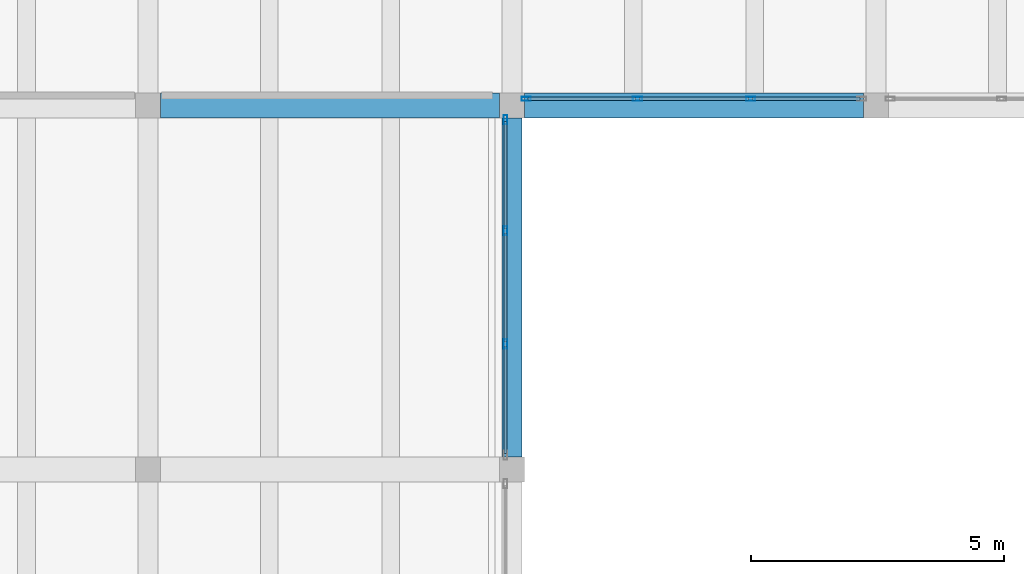
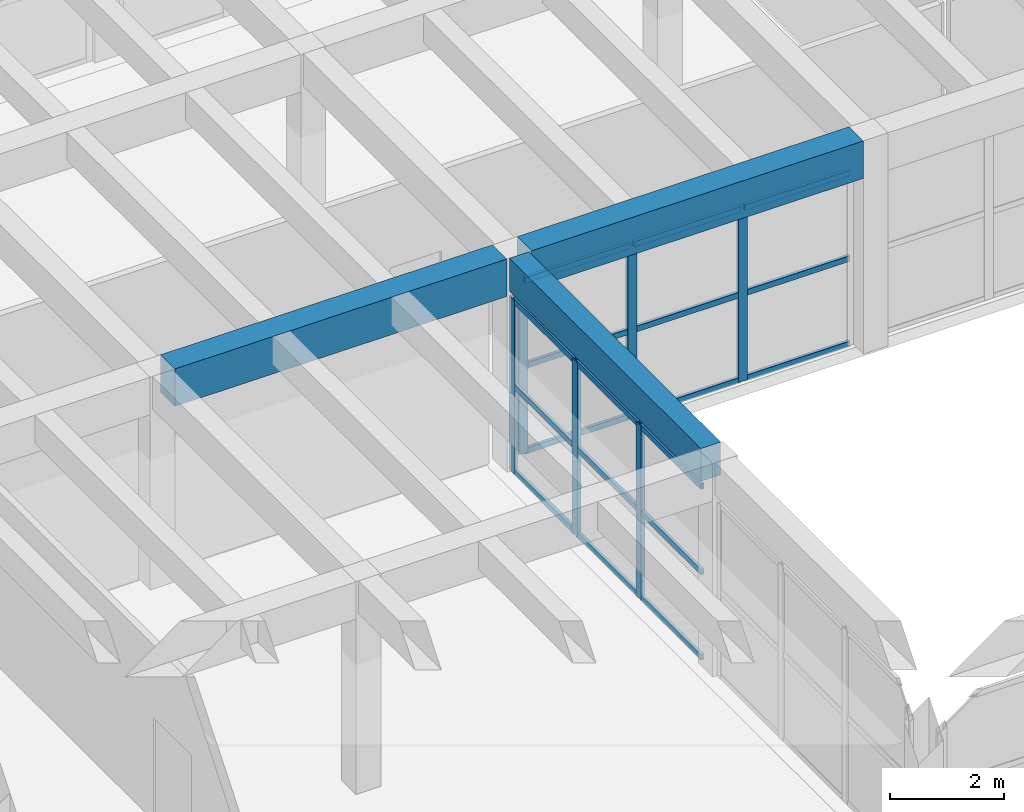
# One storey, part 29 of 153: 24 members, 3 beams, 2 elements without a shape of their own.
"""IFC4 building model written with IfcOpenShell, lengths in metres."""

import ifcopenshell
import ifcopenshell.guid

model = None  # the IFC model being written
_history = None  # IfcOwnerHistory: only IFC2X3 demands one
_inside = {}  # id of a spatial element -> (the spatial element, [elements in it])
_under = {}  # id of a project, library or spatial element -> (it, [spatial elements below it])
_declared = {}  # id of a project -> (the project, [libraries it declares])
_typed = {}  # id of a type object -> (the type object, [elements of that type])
_made_of = {}  # id of a material, layer set ... -> (it, [elements and type objects made of it])


def new_model(schema):
    """Start an empty IFC model of exactly this schema.

    Asked for "IFC4X3", IfcOpenShell would pick the latest addendum, in which some entities
    have other attributes; the version numbers below select the first issue.
    IFC2X3 requires an IfcOwnerHistory on every rooted entity: one is made here for all.
    """
    global model, _history
    if schema == "IFC4X3":
        model = ifcopenshell.file(schema_version=(4, 3, 0, 0))
    else:
        model = ifcopenshell.file(schema=schema)
    _inside.clear()
    _under.clear()
    _declared.clear()
    _typed.clear()
    _made_of.clear()
    _history = None
    if model.schema == "IFC2X3":
        org = make("IfcOrganization", Name="unknown")
        user = make(
            "IfcPersonAndOrganization",
            ThePerson=make("IfcPerson", FamilyName="unknown"),
            TheOrganization=org,
        )
        app = make(
            "IfcApplication",
            ApplicationDeveloper=org,
            Version="unknown",
            ApplicationFullName="unknown",
            ApplicationIdentifier="unknown",
        )
        _history = make(
            "IfcOwnerHistory",
            OwningUser=user,
            OwningApplication=app,
            ChangeAction="ADDED",
            CreationDate=0,
        )
    return model


def make(cls, **values):
    """One entity of the class cls with the attributes given. An attribute that is None is left unset."""
    return model.create_entity(
        cls, **{name: value for name, value in values.items() if value is not None}
    )


def rooted(cls, **values):
    """An entity with a GlobalId (a new one), such as an element, a storey or a relation."""
    return make(cls, GlobalId=ifcopenshell.guid.new(), OwnerHistory=_history, **values)


def si_unit(unit_type, name, prefix=None):
    """IfcSIUnit, for example si_unit("LENGTHUNIT", "METRE", prefix="MILLI")."""
    return make("IfcSIUnit", UnitType=unit_type, Prefix=prefix, Name=name)


def assignment(units):
    """IfcUnitAssignment: the units of a project."""
    return None if units is None else make("IfcUnitAssignment", Units=units)


def point(xyz):
    """IfcCartesianPoint."""
    return None if xyz is None else make("IfcCartesianPoint", Coordinates=xyz)


def direction(xyz):
    """IfcDirection."""
    return None if xyz is None else make("IfcDirection", DirectionRatios=xyz)


def frame(location, z_axis=None, x_axis=None):
    """IfcAxis2Placement3D, a coordinate frame: its origin and axes. An axis left out is left unset."""
    return make(
        "IfcAxis2Placement3D",
        Location=point(location),
        Axis=direction(z_axis),
        RefDirection=direction(x_axis),
    )


def frame_2d(location, x_axis=None):
    """IfcAxis2Placement2D, a coordinate frame in the plane: its origin and x axis."""
    return make(
        "IfcAxis2Placement2D", Location=point(location), RefDirection=direction(x_axis)
    )


def origin():
    """The frame at (0, 0, 0) with its axes left unset."""
    return frame((0.0, 0.0, 0.0))


def origin_2d():
    """The frame at (0, 0) in the plane with its x axis left unset."""
    return frame_2d((0.0, 0.0))


def place(relative_to, where):
    """IfcLocalPlacement: puts the frame where relative to a parent placement (None: the world)."""
    return make(
        "IfcLocalPlacement", PlacementRelTo=relative_to, RelativePlacement=where
    )


def context(
    kind, dimensions, precision=None, world=None, true_north=None, identifier=None
):
    """IfcGeometricRepresentationContext, for example the 3D "Model" context."""
    return make(
        "IfcGeometricRepresentationContext",
        ContextIdentifier=identifier,
        ContextType=kind,
        CoordinateSpaceDimension=dimensions,
        Precision=precision,
        WorldCoordinateSystem=world,
        TrueNorth=true_north,
    )


def subcontext(parent, identifier, kind, view, scale=None):
    """IfcGeometricRepresentationSubContext, for example "Body" below "Model"."""
    return make(
        "IfcGeometricRepresentationSubContext",
        ContextIdentifier=identifier,
        ContextType=kind,
        ParentContext=parent,
        TargetScale=scale,
        TargetView=view,
    )


def project(units=None, contexts=None):
    """IfcProject with its units and contexts."""
    return rooted(
        "IfcProject",
        Name="project",
        RepresentationContexts=contexts,
        UnitsInContext=assignment(units),
    )


def spatial(cls, under=None, at=None, **own):
    """A site, building, storey or space (cls), placed at a placement, below another one or the project."""
    s = rooted(cls, ObjectPlacement=at, **own)
    if under is not None:
        _under.setdefault(under.id(), (under, []))[1].append(s)
    return s


def profile(cls, at=None, kind="AREA", **sizes):
    """A parametric profile (cls). Its sizes go by their IFC names, for example OverallWidth=200.0."""
    return make(cls, ProfileType=kind, Position=at, **sizes)


def rectangle(**sizes):
    """IfcRectangleProfileDef."""
    return profile("IfcRectangleProfileDef", **sizes)


def hollow_rectangle(**sizes):
    """IfcRectangleHollowProfileDef."""
    return profile("IfcRectangleHollowProfileDef", **sizes)


def extrude(swept, where, along, depth):
    """IfcExtrudedAreaSolid: the profile swept, set in the frame where, extruded along a direction by depth."""
    return make(
        "IfcExtrudedAreaSolid",
        SweptArea=swept,
        Position=where,
        ExtrudedDirection=direction(along),
        Depth=depth,
    )


def shape(context_of_items, identifier, shape_type, items):
    """IfcShapeRepresentation: the items that make up one representation, for example the "Body"."""
    return make(
        "IfcShapeRepresentation",
        ContextOfItems=context_of_items,
        RepresentationIdentifier=identifier,
        RepresentationType=shape_type,
        Items=items,
    )


def material(Name=None, Category=None):
    """IfcMaterial."""
    return make("IfcMaterial", Name=Name, Category=Category)


def material_profile(
    of_material, cross_section, Name=None, Category=None, Priority=None
):
    """IfcMaterialProfile: a cross section and its material."""
    return make(
        "IfcMaterialProfile",
        Name=Name,
        Material=of_material,
        Profile=cross_section,
        Priority=Priority,
        Category=Category,
    )


def profile_set(profiles, Name=None, composite=None):
    """IfcMaterialProfileSet."""
    return make(
        "IfcMaterialProfileSet",
        Name=Name,
        MaterialProfiles=profiles,
        CompositeProfile=composite,
    )


def made_of(thing, what):
    """Note that an element or type object is made of a material, layer set ...; save() writes the relation."""
    if what is not None:
        _made_of.setdefault(what.id(), (what, []))[1].append(thing)
    return thing


def type_object(cls, material=None, **own):
    """A type object (cls), such as IfcWallType, which elements share."""
    return made_of(rooted(cls, **own), material)


def element(
    cls,
    number,
    at=None,
    inside=None,
    cuts=None,
    type_object=None,
    material=None,
    context=None,
    identifier="Body",
    shape_type=None,
    held_by="IfcProductDefinitionShape",
    body=None,
    shapes=None,
    **own,
):
    """One element of the class cls, such as IfcWall. Its Tag is "e" and its number.

    at: its placement. inside: the storey or other place that contains it. cuts: it is an
    opening in that element (IfcRelVoidsElement). A single representation is given by context,
    identifier, shape_type and body (its items); several are given by shapes. held_by: the class
    of the entity that holds the representations. save() writes the other relations.
    """
    e = rooted(cls, Tag="e%d" % number, ObjectPlacement=at, **own)
    if body is not None:
        shapes = [shape(context, identifier, shape_type, body)]
    if shapes is not None:
        e.Representation = make(held_by, Representations=shapes)
    if inside is not None:
        _inside.setdefault(inside.id(), (inside, []))[1].append(e)
    if cuts is not None:
        rooted(
            "IfcRelVoidsElement", RelatingBuildingElement=cuts, RelatedOpeningElement=e
        )
    if type_object is not None:
        _typed.setdefault(type_object.id(), (type_object, []))[1].append(e)
    return made_of(e, material)


def aggregate(whole, parts):
    """IfcRelAggregates: a whole, such as a stair, and the parts it consists of."""
    return rooted("IfcRelAggregates", RelatingObject=whole, RelatedObjects=parts)


def save(model, path):
    """Write the relations noted so far, then the file.

    IfcRelAggregates (storeys below a building ...), IfcRelContainedInSpatialStructure (elements
    in a storey), IfcRelDefinesByType, IfcRelAssociatesMaterial and IfcRelDeclares: one each for
    every whole, place, type object, material and project.
    """
    for whole, parts in _under.values():
        aggregate(whole, parts)
    for where, things in _inside.values():
        rooted(
            "IfcRelContainedInSpatialStructure",
            RelatedElements=things,
            RelatingStructure=where,
        )
    for kind, things in _typed.values():
        rooted("IfcRelDefinesByType", RelatedObjects=things, RelatingType=kind)
    for what, things in _made_of.values():
        rooted("IfcRelAssociatesMaterial", RelatedObjects=things, RelatingMaterial=what)
    for by, libraries in _declared.values():
        rooted("IfcRelDeclares", RelatingContext=by, RelatedDefinitions=libraries)
    model.write(path)


model = new_model("IFC4")

# Units and contexts
model_context = context("Model", 3, precision=1e-05, world=origin(), true_north=direction((0.0, 1.0)))
body_context = subcontext(model_context, "Body", "Model", "MODEL_VIEW")
ifc_project = project(units=[si_unit("LENGTHUNIT", "METRE"), si_unit("AREAUNIT", "SQUARE_METRE"), si_unit("VOLUMEUNIT", "CUBIC_METRE"), si_unit("PLANEANGLEUNIT", "RADIAN"), si_unit("MASSUNIT", "GRAM", prefix="KILO")], contexts=[model_context])

# Site, building, storey
site_placement = place(None, origin())
site = spatial("IfcSite", under=ifc_project, at=site_placement, CompositionType="ELEMENT")
building_placement = place(site_placement, origin())
building = spatial("IfcBuilding", under=site, at=building_placement, Name="Bramvelor Terrace Health Centre", CompositionType="ELEMENT")
storey_placement = place(building_placement, frame((0.0, 0.0, 4.800048828125)))
storey = spatial("IfcBuildingStorey", under=building, at=storey_placement, Name="L02", CompositionType="ELEMENT", Elevation=4.800048828125)

# Beams
ifc_material_1 = material(Name="Concrete C40/50", Category="concrete")
ifc_material_profile_1 = material_profile(ifc_material_1, rectangle(XDim=0.39990234375, YDim=0.699951171875, at=origin_2d()), Name="RC 400x700")
ifc_profile_set_1 = profile_set([ifc_material_profile_1], Name="Concrete C40/50")
beam_type_1 = type_object("IfcBeamType", Name="BM-RC-G700", PredefinedType="BEAM", material=ifc_profile_set_1)
beam_1_placement = place(storey_placement, frame((57.60009765625, 57.85009765625, 4.199951171875), z_axis=(0.0, 1.0, 0.0), x_axis=(-1.0, 0.0, 0.0)))
element("IfcBeam", 1, at=beam_1_placement, inside=storey, type_object=beam_type_1, Name="L02 Floor Girder", PredefinedType="BEAM", context=body_context, shape_type="SweptSolid", body=[
    extrude(rectangle(XDim=0.39990234375, YDim=0.699951171875, at=origin_2d()), origin(), (0.0, 0.0, 1.0), 6.699951171875),
])
ifc_material_2 = material(Name="Concrete C40/50", Category="concrete")
ifc_material_profile_2 = material_profile(ifc_material_2, rectangle(XDim=0.5, YDim=0.800048828125, at=origin_2d()), Name="RC 500x800")
ifc_profile_set_2 = profile_set([ifc_material_profile_2], Name="Concrete C40/50")
beam_type_2 = type_object("IfcBeamType", Name="BM-RC-G800", PredefinedType="BEAM", material=ifc_profile_set_2)
beam_2_placement = place(storey_placement, frame((50.64990234375, 64.800048828125, 4.14990234375), z_axis=(1.0, 0.0, 0.0), x_axis=(0.0, 1.0, 0.0)))
element("IfcBeam", 2, at=beam_2_placement, inside=storey, type_object=beam_type_2, Name="L02 Floor Girder", PredefinedType="BEAM", context=body_context, shape_type="SweptSolid", body=[
    extrude(rectangle(XDim=0.5, YDim=0.800048828125, at=origin_2d()), origin(), (0.0, 0.0, 1.0), 6.7001953125),
])
beam_3_placement = place(storey_placement, frame((57.85009765625, 64.800048828125, 4.14990234375), z_axis=(1.0, 0.0, 0.0), x_axis=(0.0, 1.0, 0.0)))
element("IfcBeam", 3, at=beam_3_placement, inside=storey, type_object=beam_type_2, Name="L02 Floor Girder", PredefinedType="BEAM", context=body_context, shape_type="SweptSolid", body=[
    extrude(rectangle(XDim=0.5, YDim=0.800048828125, at=origin_2d()), origin(), (0.0, 0.0, 1.0), 6.699951171875),
])

# Curtain wall, members
ifc_material_3 = material(Name="Anodized aluminium and double low-E glass", Category="aluminium")
curtain_wall_type = type_object("IfcCurtainWallType", Name="CW-SYS-17", PredefinedType="NOTDEFINED", material=ifc_material_3)
curtain_wall_1_placement = place(storey_placement, origin())
curtain_wall_1 = element("IfcCurtainWall", 4, at=curtain_wall_1_placement, inside=storey, type_object=curtain_wall_type, Name="L02 Unitized Curtain Wall 133", PredefinedType="NOTDEFINED")
ifc_material_4 = material(Name="Anodized aluminium 6063-T6", Category="aluminium")
ifc_material_profile_3 = material_profile(ifc_material_4, hollow_rectangle(XDim=0.074951171875, YDim=0.179931640625, WallThickness=0.00341796875, at=origin_2d()), Name="ALU-MUL 75x180x3.5")
ifc_profile_set_3 = profile_set([ifc_material_profile_3], Name="Anodized aluminium 6063-T6")
member_type_1 = type_object("IfcMemberType", Name="CW-MUL-65x180", PredefinedType="MULLION", material=ifc_profile_set_3)
member_1_placement = place(storey_placement, frame((57.469970703125, 64.517578125, 0.0), z_axis=(0.0, 0.0, 1.0), x_axis=(1.0, 0.0, 0.0)))
member_1 = element("IfcMember", 5, at=member_1_placement, type_object=member_type_1, Name="CW-17 mullion 1", PredefinedType="MULLION", context=body_context, shape_type="SweptSolid", body=[
    extrude(hollow_rectangle(XDim=0.074951171875, YDim=0.179931640625, WallThickness=0.00341796875, at=origin_2d()), origin(), (0.0, 0.0, 1.0), 3.7099609375),
])
member_2_placement = place(storey_placement, frame((57.469970703125, 62.318359375, 0.0), z_axis=(0.0, 0.0, 1.0), x_axis=(1.0, 0.0, 0.0)))
member_2 = element("IfcMember", 6, at=member_2_placement, type_object=member_type_1, Name="CW-17 mullion 2", PredefinedType="MULLION", context=body_context, shape_type="SweptSolid", body=[
    extrude(hollow_rectangle(XDim=0.074951171875, YDim=0.179931640625, WallThickness=0.00341796875, at=origin_2d()), origin(), (0.0, 0.0, 1.0), 3.7099609375),
])
member_3_placement = place(storey_placement, frame((57.469970703125, 60.081787109375, 0.0), z_axis=(0.0, 0.0, 1.0), x_axis=(1.0, 0.0, 0.0)))
member_3 = element("IfcMember", 7, at=member_3_placement, type_object=member_type_1, Name="CW-17 mullion 3", PredefinedType="MULLION", context=body_context, shape_type="SweptSolid", body=[
    extrude(hollow_rectangle(XDim=0.074951171875, YDim=0.179931640625, WallThickness=0.00341796875, at=origin_2d()), origin(), (0.0, 0.0, 1.0), 3.7099609375),
])

curtain_wall_2_placement = place(storey_placement, origin())
curtain_wall_2 = element("IfcCurtainWall", 8, at=curtain_wall_2_placement, inside=storey, type_object=curtain_wall_type, Name="L02 Unitized Curtain Wall 142", PredefinedType="NOTDEFINED")
member_4_placement = place(storey_placement, frame((62.318359375, 64.929931640625, 0.0), z_axis=(0.0, 0.0, 1.0), x_axis=(0.0, -1.0, 0.0)))
member_4 = element("IfcMember", 9, at=member_4_placement, type_object=member_type_1, Name="CW-17 mullion 2", PredefinedType="MULLION", context=body_context, shape_type="SweptSolid", body=[
    extrude(hollow_rectangle(XDim=0.074951171875, YDim=0.179931640625, WallThickness=0.00341796875, at=origin_2d()), origin(), (0.0, 0.0, 1.0), 3.7099609375),
])
member_5_placement = place(storey_placement, frame((60.081787109375, 64.929931640625, 0.0), z_axis=(0.0, 0.0, 1.0), x_axis=(0.0, -1.0, 0.0)))
member_5 = element("IfcMember", 10, at=member_5_placement, type_object=member_type_1, Name="CW-17 mullion 3", PredefinedType="MULLION", context=body_context, shape_type="SweptSolid", body=[
    extrude(hollow_rectangle(XDim=0.074951171875, YDim=0.179931640625, WallThickness=0.00341796875, at=origin_2d()), origin(), (0.0, 0.0, 1.0), 3.7099609375),
])
member_6_placement = place(storey_placement, frame((57.882568359375, 64.929931640625, 0.0), z_axis=(0.0, 0.0, 1.0), x_axis=(0.0, -1.0, 0.0)))
member_6 = element("IfcMember", 11, at=member_6_placement, type_object=member_type_1, Name="CW-17 mullion 4", PredefinedType="MULLION", context=body_context, shape_type="SweptSolid", body=[
    extrude(hollow_rectangle(XDim=0.074951171875, YDim=0.179931640625, WallThickness=0.00341796875, at=origin_2d()), origin(), (0.0, 0.0, 1.0), 3.7099609375),
])

# Member
ifc_material_5 = material(Name="Anodized aluminium 6063-T6", Category="aluminium")
ifc_material_profile_4 = material_profile(ifc_material_5, hollow_rectangle(XDim=0.06494140625, YDim=0.1201171875, WallThickness=0.0029296875, at=origin_2d()), Name="ALU-TRN 65x120x3.0")
ifc_profile_set_4 = profile_set([ifc_material_profile_4], Name="Anodized aluminium 6063-T6")
member_type_2 = type_object("IfcMemberType", Name="CW-TRN-65x150", PredefinedType="USERDEFINED", material=ifc_profile_set_4)
member_7_placement = place(storey_placement, frame((57.469970703125, 64.47998046875, 0.032470703125), z_axis=(0.0, -1.0, 0.0), x_axis=(1.0, 0.0, 0.0)))
member_7 = element("IfcMember", 12, at=member_7_placement, type_object=member_type_2, Name="CW-17 transom 1.1", ObjectType="TRANSOM", PredefinedType="USERDEFINED", context=body_context, shape_type="SweptSolid", body=[
    extrude(hollow_rectangle(XDim=0.06494140625, YDim=0.1201171875, WallThickness=0.0029296875, at=origin_2d()), origin(), (0.0, 0.0, 1.0), 2.124267578125),
])

member_8_placement = place(storey_placement, frame((57.469970703125, 64.47998046875, 1.85498046875), z_axis=(0.0, -1.0, 0.0), x_axis=(1.0, 0.0, 0.0)))
member_8 = element("IfcMember", 13, at=member_8_placement, type_object=member_type_2, Name="CW-17 transom 1.2", ObjectType="TRANSOM", PredefinedType="USERDEFINED", context=body_context, shape_type="SweptSolid", body=[
    extrude(hollow_rectangle(XDim=0.06494140625, YDim=0.1201171875, WallThickness=0.0029296875, at=origin_2d()), origin(), (0.0, 0.0, 1.0), 2.124267578125),
])

member_9_placement = place(storey_placement, frame((57.469970703125, 64.47998046875, 3.677490234375), z_axis=(0.0, -1.0, 0.0), x_axis=(1.0, 0.0, 0.0)))
member_9 = element("IfcMember", 14, at=member_9_placement, type_object=member_type_2, Name="CW-17 transom 1.3", ObjectType="TRANSOM", PredefinedType="USERDEFINED", context=body_context, shape_type="SweptSolid", body=[
    extrude(hollow_rectangle(XDim=0.06494140625, YDim=0.1201171875, WallThickness=0.0029296875, at=origin_2d()), origin(), (0.0, 0.0, 1.0), 2.124267578125),
])

member_10_placement = place(storey_placement, frame((57.469970703125, 62.28076171875, 0.032470703125), z_axis=(0.0, -1.0, 0.0), x_axis=(1.0, 0.0, 0.0)))
member_10 = element("IfcMember", 15, at=member_10_placement, type_object=member_type_2, Name="CW-17 transom 2.1", ObjectType="TRANSOM", PredefinedType="USERDEFINED", context=body_context, shape_type="SweptSolid", body=[
    extrude(hollow_rectangle(XDim=0.06494140625, YDim=0.1201171875, WallThickness=0.0029296875, at=origin_2d()), origin(), (0.0, 0.0, 1.0), 2.16162109375),
])

member_11_placement = place(storey_placement, frame((57.469970703125, 62.28076171875, 1.85498046875), z_axis=(0.0, -1.0, 0.0), x_axis=(1.0, 0.0, 0.0)))
member_11 = element("IfcMember", 16, at=member_11_placement, type_object=member_type_2, Name="CW-17 transom 2.2", ObjectType="TRANSOM", PredefinedType="USERDEFINED", context=body_context, shape_type="SweptSolid", body=[
    extrude(hollow_rectangle(XDim=0.06494140625, YDim=0.1201171875, WallThickness=0.0029296875, at=origin_2d()), origin(), (0.0, 0.0, 1.0), 2.16162109375),
])

member_12_placement = place(storey_placement, frame((57.469970703125, 62.28076171875, 3.677490234375), z_axis=(0.0, -1.0, 0.0), x_axis=(1.0, 0.0, 0.0)))
member_12 = element("IfcMember", 17, at=member_12_placement, type_object=member_type_2, Name="CW-17 transom 2.3", ObjectType="TRANSOM", PredefinedType="USERDEFINED", context=body_context, shape_type="SweptSolid", body=[
    extrude(hollow_rectangle(XDim=0.06494140625, YDim=0.1201171875, WallThickness=0.0029296875, at=origin_2d()), origin(), (0.0, 0.0, 1.0), 2.16162109375),
])

member_13_placement = place(storey_placement, frame((57.469970703125, 60.044189453125, 0.032470703125), z_axis=(0.0, -1.0, 0.0), x_axis=(1.0, 0.0, 0.0)))
member_13 = element("IfcMember", 18, at=member_13_placement, type_object=member_type_2, Name="CW-17 transom 3.1", ObjectType="TRANSOM", PredefinedType="USERDEFINED", context=body_context, shape_type="SweptSolid", body=[
    extrude(hollow_rectangle(XDim=0.06494140625, YDim=0.1201171875, WallThickness=0.0029296875, at=origin_2d()), origin(), (0.0, 0.0, 1.0), 2.124267578125),
])

member_14_placement = place(storey_placement, frame((57.469970703125, 60.044189453125, 1.85498046875), z_axis=(0.0, -1.0, 0.0), x_axis=(1.0, 0.0, 0.0)))
member_14 = element("IfcMember", 19, at=member_14_placement, type_object=member_type_2, Name="CW-17 transom 3.2", ObjectType="TRANSOM", PredefinedType="USERDEFINED", context=body_context, shape_type="SweptSolid", body=[
    extrude(hollow_rectangle(XDim=0.06494140625, YDim=0.1201171875, WallThickness=0.0029296875, at=origin_2d()), origin(), (0.0, 0.0, 1.0), 2.124267578125),
])

member_15_placement = place(storey_placement, frame((57.469970703125, 60.044189453125, 3.677490234375), z_axis=(0.0, -1.0, 0.0), x_axis=(1.0, 0.0, 0.0)))
member_15 = element("IfcMember", 20, at=member_15_placement, type_object=member_type_2, Name="CW-17 transom 3.3", ObjectType="TRANSOM", PredefinedType="USERDEFINED", context=body_context, shape_type="SweptSolid", body=[
    extrude(hollow_rectangle(XDim=0.06494140625, YDim=0.1201171875, WallThickness=0.0029296875, at=origin_2d()), origin(), (0.0, 0.0, 1.0), 2.124267578125),
])

aggregate(curtain_wall_1, [member_1, member_2, member_3, member_7, member_8, member_9, member_10, member_11, member_12, member_13, member_14, member_15])

member_16_placement = place(storey_placement, frame((64.47998046875, 64.929931640625, 0.032470703125), z_axis=(-1.0, 0.0, 0.0), x_axis=(0.0, -1.0, 0.0)))
member_16 = element("IfcMember", 21, at=member_16_placement, type_object=member_type_2, Name="CW-17 transom 1.1", ObjectType="TRANSOM", PredefinedType="USERDEFINED", context=body_context, shape_type="SweptSolid", body=[
    extrude(hollow_rectangle(XDim=0.06494140625, YDim=0.1201171875, WallThickness=0.0029296875, at=origin_2d()), origin(), (0.0, 0.0, 1.0), 2.124267578125),
])

member_17_placement = place(storey_placement, frame((64.47998046875, 64.929931640625, 1.85498046875), z_axis=(-1.0, 0.0, 0.0), x_axis=(0.0, -1.0, 0.0)))
member_17 = element("IfcMember", 22, at=member_17_placement, type_object=member_type_2, Name="CW-17 transom 1.2", ObjectType="TRANSOM", PredefinedType="USERDEFINED", context=body_context, shape_type="SweptSolid", body=[
    extrude(hollow_rectangle(XDim=0.06494140625, YDim=0.1201171875, WallThickness=0.0029296875, at=origin_2d()), origin(), (0.0, 0.0, 1.0), 2.124267578125),
])

member_18_placement = place(storey_placement, frame((64.47998046875, 64.929931640625, 3.677490234375), z_axis=(-1.0, 0.0, 0.0), x_axis=(0.0, -1.0, 0.0)))
member_18 = element("IfcMember", 23, at=member_18_placement, type_object=member_type_2, Name="CW-17 transom 1.3", ObjectType="TRANSOM", PredefinedType="USERDEFINED", context=body_context, shape_type="SweptSolid", body=[
    extrude(hollow_rectangle(XDim=0.06494140625, YDim=0.1201171875, WallThickness=0.0029296875, at=origin_2d()), origin(), (0.0, 0.0, 1.0), 2.124267578125),
])

member_19_placement = place(storey_placement, frame((62.28076171875, 64.929931640625, 0.032470703125), z_axis=(-1.0, 0.0, 0.0), x_axis=(0.0, -1.0, 0.0)))
member_19 = element("IfcMember", 24, at=member_19_placement, type_object=member_type_2, Name="CW-17 transom 2.1", ObjectType="TRANSOM", PredefinedType="USERDEFINED", context=body_context, shape_type="SweptSolid", body=[
    extrude(hollow_rectangle(XDim=0.06494140625, YDim=0.1201171875, WallThickness=0.0029296875, at=origin_2d()), origin(), (0.0, 0.0, 1.0), 2.16162109375),
])

member_20_placement = place(storey_placement, frame((62.28076171875, 64.929931640625, 1.85498046875), z_axis=(-1.0, 0.0, 0.0), x_axis=(0.0, -1.0, 0.0)))
member_20 = element("IfcMember", 25, at=member_20_placement, type_object=member_type_2, Name="CW-17 transom 2.2", ObjectType="TRANSOM", PredefinedType="USERDEFINED", context=body_context, shape_type="SweptSolid", body=[
    extrude(hollow_rectangle(XDim=0.06494140625, YDim=0.1201171875, WallThickness=0.0029296875, at=origin_2d()), origin(), (0.0, 0.0, 1.0), 2.16162109375),
])

member_21_placement = place(storey_placement, frame((62.28076171875, 64.929931640625, 3.677490234375), z_axis=(-1.0, 0.0, 0.0), x_axis=(0.0, -1.0, 0.0)))
member_21 = element("IfcMember", 26, at=member_21_placement, type_object=member_type_2, Name="CW-17 transom 2.3", ObjectType="TRANSOM", PredefinedType="USERDEFINED", context=body_context, shape_type="SweptSolid", body=[
    extrude(hollow_rectangle(XDim=0.06494140625, YDim=0.1201171875, WallThickness=0.0029296875, at=origin_2d()), origin(), (0.0, 0.0, 1.0), 2.16162109375),
])

member_22_placement = place(storey_placement, frame((60.044189453125, 64.929931640625, 0.032470703125), z_axis=(-1.0, 0.0, 0.0), x_axis=(0.0, -1.0, 0.0)))
member_22 = element("IfcMember", 27, at=member_22_placement, type_object=member_type_2, Name="CW-17 transom 3.1", ObjectType="TRANSOM", PredefinedType="USERDEFINED", context=body_context, shape_type="SweptSolid", body=[
    extrude(hollow_rectangle(XDim=0.06494140625, YDim=0.1201171875, WallThickness=0.0029296875, at=origin_2d()), origin(), (0.0, 0.0, 1.0), 2.124267578125),
])

member_23_placement = place(storey_placement, frame((60.044189453125, 64.929931640625, 1.85498046875), z_axis=(-1.0, 0.0, 0.0), x_axis=(0.0, -1.0, 0.0)))
member_23 = element("IfcMember", 28, at=member_23_placement, type_object=member_type_2, Name="CW-17 transom 3.2", ObjectType="TRANSOM", PredefinedType="USERDEFINED", context=body_context, shape_type="SweptSolid", body=[
    extrude(hollow_rectangle(XDim=0.06494140625, YDim=0.1201171875, WallThickness=0.0029296875, at=origin_2d()), origin(), (0.0, 0.0, 1.0), 2.124267578125),
])

member_24_placement = place(storey_placement, frame((60.044189453125, 64.929931640625, 3.677490234375), z_axis=(-1.0, 0.0, 0.0), x_axis=(0.0, -1.0, 0.0)))
member_24 = element("IfcMember", 29, at=member_24_placement, type_object=member_type_2, Name="CW-17 transom 3.3", ObjectType="TRANSOM", PredefinedType="USERDEFINED", context=body_context, shape_type="SweptSolid", body=[
    extrude(hollow_rectangle(XDim=0.06494140625, YDim=0.1201171875, WallThickness=0.0029296875, at=origin_2d()), origin(), (0.0, 0.0, 1.0), 2.124267578125),
])

aggregate(curtain_wall_2, [member_4, member_5, member_6, member_16, member_17, member_18, member_19, member_20, member_21, member_22, member_23, member_24])

save(model, "model.ifc")
